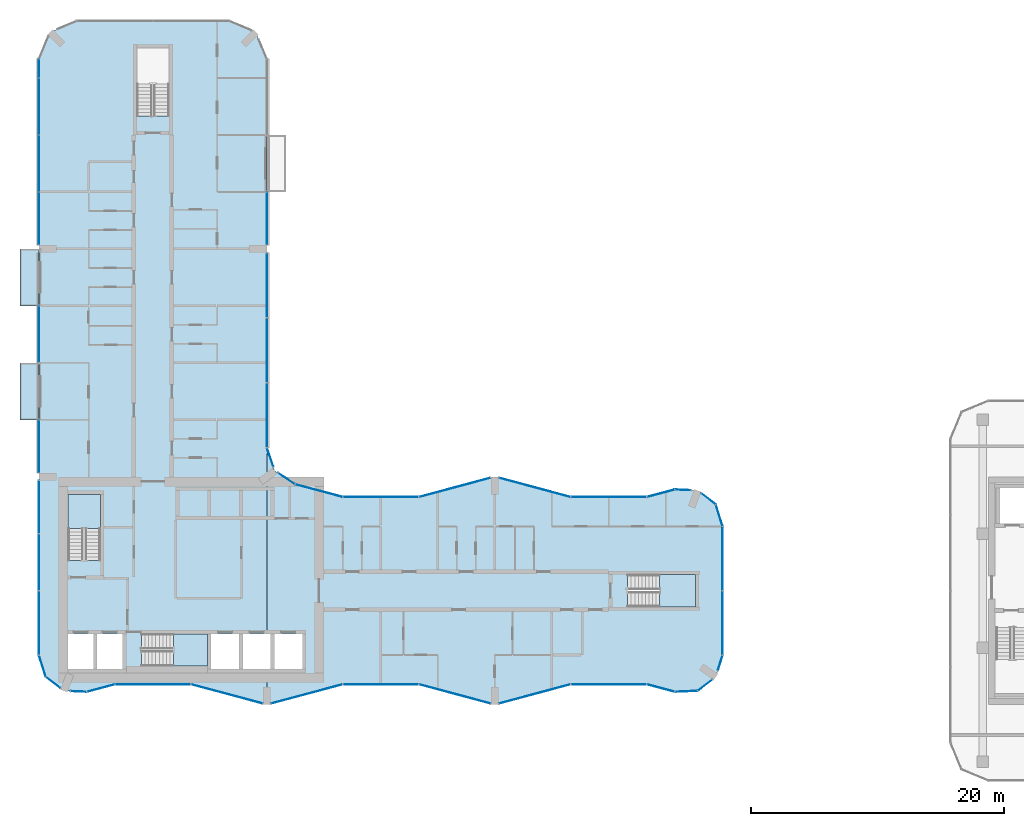
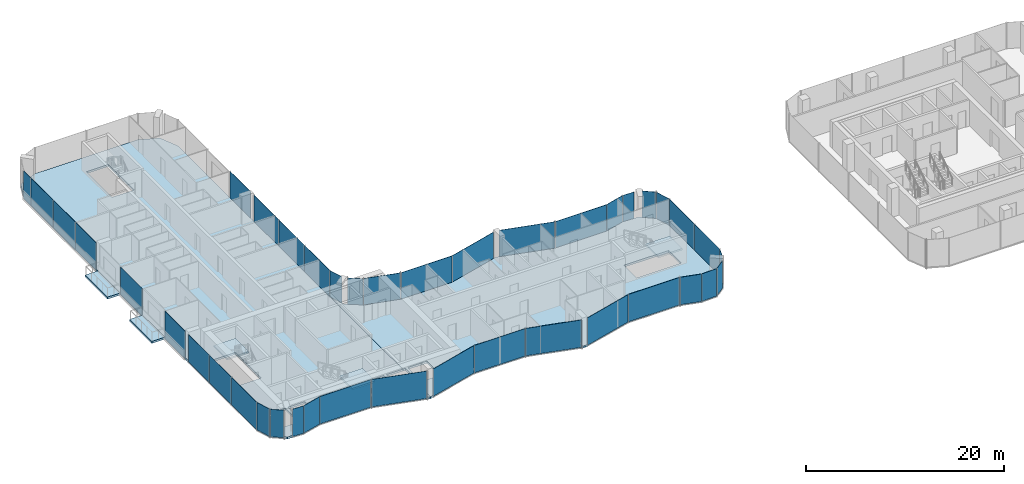
# One storey, part 12 of 24: 41 plates, 7 slabs, 36 elements without a shape of their own.
"""IFC4 building model written with IfcOpenShell, lengths in metres."""

from ifc_helpers import new_model, si_unit, direction, frame, origin, origin_2d, place, context, subcontext, project, spatial, polyline, rectangle, outline, extrude, material, layer, layer_set, type_object, element, aggregate, save


model = new_model("IFC4")

# Units and contexts
model_context = context("Model", 3, precision=1e-05, world=origin(), true_north=direction((0.0, 1.0)))
body_context = subcontext(model_context, "Body", "Model", "MODEL_VIEW")
ifc_project = project(units=[si_unit("LENGTHUNIT", "METRE"), si_unit("AREAUNIT", "SQUARE_METRE"), si_unit("VOLUMEUNIT", "CUBIC_METRE"), si_unit("PLANEANGLEUNIT", "RADIAN"), si_unit("MASSUNIT", "GRAM", prefix="KILO")], contexts=[model_context])

# Site, building, storey
site_placement = place(None, origin())
site = spatial("IfcSite", under=ifc_project, at=site_placement, CompositionType="ELEMENT")
building_placement = place(site_placement, origin())
building = spatial("IfcBuilding", under=site, at=building_placement, Name="Plateau Cross Towers", CompositionType="ELEMENT")
storey_placement = place(building_placement, frame((0.0, 0.0, 47.800048828125)))
storey = spatial("IfcBuildingStorey", under=building, at=storey_placement, Name="L11", CompositionType="ELEMENT", Elevation=47.800048828125)

# Slabs
ifc_material_1 = material(Name="Concrete C40/50", Category="concrete")
ifc_layer_1 = layer(ifc_material_1, 0.25)
ifc_layer_set_1 = layer_set([ifc_layer_1], Name="Concrete C40/50")
slab_type_1 = type_object("IfcSlabType", Name="Balcony slab 250", PredefinedType="FLOOR", material=ifc_layer_set_1)
slab_1_placement = place(storey_placement, frame((0.0, 0.0, -0.25)))
element("IfcSlab", 1, at=slab_1_placement, inside=storey, type_object=slab_type_1, Name="Balcony slab A-BAL-L11-01", PredefinedType="FLOOR", context=body_context, shape_type="SweptSolid", body=[
    extrude(outline(polyline([(0.0, 22.5), (0.0, 27.0), (-1.5, 27.0), (-1.5, 22.5), (0.0, 22.5)])), origin(), (0.0, 0.0, 1.0), 0.25),
])
slab_2_placement = place(storey_placement, frame((0.0, 0.0, -0.25)))
element("IfcSlab", 2, at=slab_2_placement, inside=storey, type_object=slab_type_1, Name="Balcony slab A-BAL-L11-02", PredefinedType="FLOOR", context=body_context, shape_type="SweptSolid", body=[
    extrude(outline(polyline([(0.0, 31.5), (0.0, 36.0), (-1.5, 36.0), (-1.5, 31.5), (0.0, 31.5)])), origin(), (0.0, 0.0, 1.0), 0.25),
])

# Curtain wall, plate
ifc_material_2 = material(Name="Dark low-iron glass", Category="glass")
ifc_layer_2 = layer(ifc_material_2, 0.239990234375)
ifc_layer_set_2 = layer_set([ifc_layer_2], Name="Dark low-iron glass")
curtain_wall_type_1 = type_object("IfcCurtainWallType", Name="Curtain wall flush unitised CW-B", PredefinedType="NOTDEFINED", material=ifc_layer_set_2)
curtain_wall_1_placement = place(storey_placement, origin())
curtain_wall_1 = element("IfcCurtainWall", 3, at=curtain_wall_1_placement, inside=storey, type_object=curtain_wall_type_1, Name="ENV/A/L11/A502_10", PredefinedType="NOTDEFINED")
ifc_layer_3 = layer(ifc_material_2, 0.031982421875)
ifc_layer_set_3 = layer_set([ifc_layer_3], Name="Dark low-iron glass")
plate_type_1 = type_object("IfcPlateType", Name="Glass panel 32 flush unitised", PredefinedType="CURTAIN_PANEL", material=ifc_layer_set_3)
plate_1_placement = place(storey_placement, frame((51.125, 1.05078125, -0.1298828125), z_axis=(0.0, 0.0, 1.0), x_axis=(0.999043701491, 0.043722791671, 0.0)))
plate_1 = element("IfcPlate", 4, at=plate_1_placement, type_object=plate_type_1, Name="CW-B panel 1", PredefinedType="CURTAIN_PANEL", context=body_context, shape_type="SweptSolid", body=[
    extrude(rectangle(XDim=1.744140625, YDim=0.031982421875, at=origin_2d()), origin(), (0.0, 0.0, 1.0), 3.3798828125),
])
aggregate(curtain_wall_1, [plate_1])

curtain_wall_2_placement = place(storey_placement, origin())
curtain_wall_2 = element("IfcCurtainWall", 5, at=curtain_wall_2_placement, inside=storey, type_object=curtain_wall_type_1, Name="ENV/A/L11/A520_11", PredefinedType="NOTDEFINED")
plate_2_placement = place(storey_placement, frame((52.60986328125, 1.5380859375, -0.1298828125), z_axis=(0.0, 0.0, 1.0), x_axis=(0.793315514529, 0.608810721331, 0.0)))
plate_2 = element("IfcPlate", 6, at=plate_2_placement, type_object=plate_type_1, Name="CW-B panel 1", PredefinedType="CURTAIN_PANEL", context=body_context, shape_type="SweptSolid", body=[
    extrude(rectangle(XDim=1.41162109375, YDim=0.031982421875, at=origin_2d()), origin(), (0.0, 0.0, 1.0), 3.3798828125),
])
aggregate(curtain_wall_2, [plate_2])

curtain_wall_3_placement = place(storey_placement, origin())
curtain_wall_3 = element("IfcCurtainWall", 7, at=curtain_wall_3_placement, inside=storey, type_object=curtain_wall_type_1, Name="ENV/A/L11/A536_27", PredefinedType="NOTDEFINED")
plate_3_placement = place(storey_placement, frame((53.805419921875, 3.292236328125, -0.1298828125), z_axis=(0.0, 0.0, 1.0), x_axis=(0.300686174994, 0.95372313811, 0.0)))
plate_3 = element("IfcPlate", 8, at=plate_3_placement, type_object=plate_type_1, Name="CW-B panel 1", PredefinedType="CURTAIN_PANEL", context=body_context, shape_type="SweptSolid", body=[
    extrude(rectangle(XDim=1.233642578125, YDim=0.031982421875, at=origin_2d()), origin(), (0.0, 0.0, 1.0), 3.3798828125),
])
aggregate(curtain_wall_3, [plate_3])

# Curtain wall, plates
curtain_wall_4_placement = place(storey_placement, origin())
curtain_wall_4 = element("IfcCurtainWall", 9, at=curtain_wall_4_placement, inside=storey, type_object=curtain_wall_type_1, Name="ENV/A/L11/A540_39", PredefinedType="NOTDEFINED")
plate_4_placement = place(storey_placement, frame((54.0, 6.45458984375, -0.1298828125), z_axis=(0.0, 0.0, 1.0), x_axis=(0.0, 1.0, 0.0)))
plate_4 = element("IfcPlate", 10, at=plate_4_placement, type_object=plate_type_1, Name="CW-B panel 1", PredefinedType="CURTAIN_PANEL", context=body_context, shape_type="SweptSolid", body=[
    extrude(rectangle(XDim=5.03076171875, YDim=0.031982421875, at=origin_2d()), origin(), (0.0, 0.0, 1.0), 3.3798828125),
])
plate_5_placement = place(storey_placement, frame((54.0, 11.54541015625, -0.1298828125), z_axis=(0.0, 0.0, 1.0), x_axis=(0.0, 1.0, 0.0)))
plate_5 = element("IfcPlate", 11, at=plate_5_placement, type_object=plate_type_1, Name="CW-B panel 2", PredefinedType="CURTAIN_PANEL", context=body_context, shape_type="SweptSolid", body=[
    extrude(rectangle(XDim=5.03076171875, YDim=0.031982421875, at=origin_2d()), origin(), (0.0, 0.0, 1.0), 3.3798828125),
])
aggregate(curtain_wall_4, [plate_4, plate_5])

# Curtain wall, plate
curtain_wall_5_placement = place(storey_placement, origin())
curtain_wall_5 = element("IfcCurtainWall", 12, at=curtain_wall_5_placement, inside=storey, type_object=curtain_wall_type_1, Name="ENV/A/L11/A540_141", PredefinedType="NOTDEFINED")
plate_6_placement = place(storey_placement, frame((53.728759765625, 14.951171875, -0.1298828125), z_axis=(0.0, 0.0, 1.0), x_axis=(-0.300686174994, 0.95372313811, 0.0)))
plate_6 = element("IfcPlate", 13, at=plate_6_placement, type_object=plate_type_1, Name="CW-B panel 1", PredefinedType="CURTAIN_PANEL", context=body_context, shape_type="SweptSolid", body=[
    extrude(rectangle(XDim=1.744140625, YDim=0.031982421875, at=origin_2d()), origin(), (0.0, 0.0, 1.0), 3.3798828125),
])
aggregate(curtain_wall_5, [plate_6])

curtain_wall_6_placement = place(storey_placement, origin())
curtain_wall_6 = element("IfcCurtainWall", 14, at=curtain_wall_6_placement, inside=storey, type_object=curtain_wall_type_1, Name="ENV/A/L11/A535_158", PredefinedType="NOTDEFINED")
plate_7_placement = place(storey_placement, frame((52.873779296875, 16.25927734375, -0.1298828125), z_axis=(0.0, 0.0, 1.0), x_axis=(-0.793315514529, 0.608810721331, 0.0)))
plate_7 = element("IfcPlate", 15, at=plate_7_placement, type_object=plate_type_1, Name="CW-B panel 1", PredefinedType="CURTAIN_PANEL", context=body_context, shape_type="SweptSolid", body=[
    extrude(rectangle(XDim=1.41162109375, YDim=0.031982421875, at=origin_2d()), origin(), (0.0, 0.0, 1.0), 3.3798828125),
])
aggregate(curtain_wall_6, [plate_7])

curtain_wall_7_placement = place(storey_placement, origin())
curtain_wall_7 = element("IfcCurtainWall", 16, at=curtain_wall_7_placement, inside=storey, type_object=curtain_wall_type_1, Name="ENV/A/L11/A515_169", PredefinedType="NOTDEFINED")
plate_8_placement = place(storey_placement, frame((50.8701171875, 16.96044921875, -0.1298828125), z_axis=(0.0, 0.0, 1.0), x_axis=(-0.999043701491, 0.043722791671, 0.0)))
plate_8 = element("IfcPlate", 17, at=plate_8_placement, type_object=plate_type_1, Name="CW-B panel 1", PredefinedType="CURTAIN_PANEL", context=body_context, shape_type="SweptSolid", body=[
    extrude(rectangle(XDim=1.233642578125, YDim=0.031982421875, at=origin_2d()), origin(), (0.0, 0.0, 1.0), 3.3798828125),
])
aggregate(curtain_wall_7, [plate_8])

curtain_wall_8_placement = place(storey_placement, origin())
curtain_wall_8 = element("IfcCurtainWall", 18, at=curtain_wall_8_placement, inside=storey, type_object=curtain_wall_type_1, Name="ENV/A/L11/A202_174", PredefinedType="NOTDEFINED")
plate_9_placement = place(storey_placement, frame((19.546630859375, 17.856689453125, -0.1298828125), z_axis=(0.0, 0.0, 1.0), x_axis=(-0.831521253329, 0.555492938984, 0.0)))
plate_9 = element("IfcPlate", 19, at=plate_9_placement, type_object=plate_type_1, Name="CW-B panel 1", PredefinedType="CURTAIN_PANEL", context=body_context, shape_type="SweptSolid", body=[
    extrude(rectangle(XDim=1.56884765625, YDim=0.031982421875, at=origin_2d()), origin(), (0.0, 0.0, 1.0), 3.3798828125),
])
aggregate(curtain_wall_8, [plate_9])

curtain_wall_9_placement = place(storey_placement, origin())
curtain_wall_9 = element("IfcCurtainWall", 20, at=curtain_wall_9_placement, inside=storey, type_object=curtain_wall_type_1, Name="ENV/A/L11/A185_188", PredefinedType="NOTDEFINED")
plate_10_placement = place(storey_placement, frame((18.26171875, 19.531005859375, -0.1298828125), z_axis=(0.0, 0.0, 1.0), x_axis=(-0.321469161574, 0.94692004845, 0.0)))
plate_10 = element("IfcPlate", 21, at=plate_10_placement, type_object=plate_type_1, Name="CW-B panel 1", PredefinedType="CURTAIN_PANEL", context=body_context, shape_type="SweptSolid", body=[
    extrude(rectangle(XDim=1.56884765625, YDim=0.031982421875, at=origin_2d()), origin(), (0.0, 0.0, 1.0), 3.3798828125),
])
aggregate(curtain_wall_9, [plate_10])

# Curtain wall, plates
curtain_wall_10_placement = place(storey_placement, origin())
curtain_wall_10 = element("IfcCurtainWall", 22, at=curtain_wall_10_placement, inside=storey, type_object=curtain_wall_type_1, Name="ENV/A/L11/A180_203", PredefinedType="NOTDEFINED")
plate_11_placement = place(storey_placement, frame((18.0, 22.86865234375, -0.1298828125), z_axis=(0.0, 0.0, 1.0), x_axis=(0.0, 1.0, 0.0)))
plate_11 = element("IfcPlate", 23, at=plate_11_placement, type_object=plate_type_1, Name="CW-B panel 1", PredefinedType="CURTAIN_PANEL", context=body_context, shape_type="SweptSolid", body=[
    extrude(rectangle(XDim=5.072509765625, YDim=0.031982421875, at=origin_2d()), origin(), (0.0, 0.0, 1.0), 3.3798828125),
])
plate_12_placement = place(storey_placement, frame((18.0, 28.001220703125, -0.1298828125), z_axis=(0.0, 0.0, 1.0), x_axis=(0.0, 1.0, 0.0)))
plate_12 = element("IfcPlate", 24, at=plate_12_placement, type_object=plate_type_1, Name="CW-B panel 2", PredefinedType="CURTAIN_PANEL", context=body_context, shape_type="SweptSolid", body=[
    extrude(rectangle(XDim=5.072509765625, YDim=0.031982421875, at=origin_2d()), origin(), (0.0, 0.0, 1.0), 3.3798828125),
])
plate_13_placement = place(storey_placement, frame((18.0, 33.1337890625, -0.1298828125), z_axis=(0.0, 0.0, 1.0), x_axis=(0.0, 1.0, 0.0)))
plate_13 = element("IfcPlate", 25, at=plate_13_placement, type_object=plate_type_1, Name="CW-B panel 3", PredefinedType="CURTAIN_PANEL", context=body_context, shape_type="SweptSolid", body=[
    extrude(rectangle(XDim=5.072509765625, YDim=0.031982421875, at=origin_2d()), origin(), (0.0, 0.0, 1.0), 3.3798828125),
])
aggregate(curtain_wall_10, [plate_11, plate_12, plate_13])

# Curtain wall, plate
curtain_wall_11_placement = place(storey_placement, origin())
curtain_wall_11 = element("IfcCurtainWall", 26, at=curtain_wall_11_placement, inside=storey, type_object=curtain_wall_type_1, Name="ENV/A/L11/A180_363", PredefinedType="NOTDEFINED")
plate_14_placement = place(storey_placement, frame((18.0, 38.39501953125, -0.1298828125), z_axis=(0.0, 0.0, 1.0), x_axis=(0.0, 1.0, 0.0)))
plate_14 = element("IfcPlate", 27, at=plate_14_placement, type_object=plate_type_1, Name="CW-B panel 1", PredefinedType="CURTAIN_PANEL", context=body_context, shape_type="SweptSolid", body=[
    extrude(rectangle(XDim=4.1298828125, YDim=0.031982421875, at=origin_2d()), origin(), (0.0, 0.0, 1.0), 3.3798828125),
])
aggregate(curtain_wall_11, [plate_14])

# Curtain wall, plates
curtain_wall_12_placement = place(storey_placement, origin())
curtain_wall_12 = element("IfcCurtainWall", 28, at=curtain_wall_12_placement, inside=storey, type_object=curtain_wall_type_1, Name="ENV/A/L11/A0_510", PredefinedType="NOTDEFINED")
plate_15_placement = place(storey_placement, frame((0.0, 50.25, -0.1298828125), z_axis=(0.0, 0.0, 1.0), x_axis=(0.0, -1.0, 0.0)))
plate_15 = element("IfcPlate", 29, at=plate_15_placement, type_object=plate_type_1, Name="CW-B panel 1", PredefinedType="CURTAIN_PANEL", context=body_context, shape_type="SweptSolid", body=[
    extrude(rectangle(XDim=1.43994140625, YDim=0.031982421875, at=origin_2d()), origin(), (0.0, 0.0, 1.0), 3.3798828125),
])
plate_16_placement = place(storey_placement, frame((0.0, 47.25, -0.1298828125), z_axis=(0.0, 0.0, 1.0), x_axis=(0.0, -1.0, 0.0)))
plate_16 = element("IfcPlate", 30, at=plate_16_placement, type_object=plate_type_1, Name="CW-B panel 2", PredefinedType="CURTAIN_PANEL", context=body_context, shape_type="SweptSolid", body=[
    extrude(rectangle(XDim=4.43994140625, YDim=0.031982421875, at=origin_2d()), origin(), (0.0, 0.0, 1.0), 3.3798828125),
])
plate_17_placement = place(storey_placement, frame((0.0, 42.75, -0.1298828125), z_axis=(0.0, 0.0, 1.0), x_axis=(0.0, -1.0, 0.0)))
plate_17 = element("IfcPlate", 31, at=plate_17_placement, type_object=plate_type_1, Name="CW-B panel 3", PredefinedType="CURTAIN_PANEL", context=body_context, shape_type="SweptSolid", body=[
    extrude(rectangle(XDim=4.43994140625, YDim=0.031982421875, at=origin_2d()), origin(), (0.0, 0.0, 1.0), 3.3798828125),
])
plate_18_placement = place(storey_placement, frame((0.0, 38.39990234375, -0.1298828125), z_axis=(0.0, 0.0, 1.0), x_axis=(0.0, -1.0, 0.0)))
plate_18 = element("IfcPlate", 32, at=plate_18_placement, type_object=plate_type_1, Name="CW-B panel 4", PredefinedType="CURTAIN_PANEL", context=body_context, shape_type="SweptSolid", body=[
    extrude(rectangle(XDim=4.139892578125, YDim=0.031982421875, at=origin_2d()), origin(), (0.0, 0.0, 1.0), 3.3798828125),
])
aggregate(curtain_wall_12, [plate_15, plate_16, plate_17, plate_18])

# Curtain wall, plate
curtain_wall_13_placement = place(storey_placement, origin())
curtain_wall_13 = element("IfcCurtainWall", 33, at=curtain_wall_13_placement, inside=storey, type_object=curtain_wall_type_1, Name="ENV/A/L11/A0_315", PredefinedType="NOTDEFINED")
plate_19_placement = place(storey_placement, frame((0.0, 29.25, -0.1298828125), z_axis=(0.0, 0.0, 1.0), x_axis=(0.0, -1.0, 0.0)))
plate_19 = element("IfcPlate", 34, at=plate_19_placement, type_object=plate_type_1, Name="CW-B panel 1", PredefinedType="CURTAIN_PANEL", context=body_context, shape_type="SweptSolid", body=[
    extrude(rectangle(XDim=4.419921875, YDim=0.031982421875, at=origin_2d()), origin(), (0.0, 0.0, 1.0), 3.3798828125),
])
aggregate(curtain_wall_13, [plate_19])

curtain_wall_14_placement = place(storey_placement, origin())
curtain_wall_14 = element("IfcCurtainWall", 35, at=curtain_wall_14_placement, inside=storey, type_object=curtain_wall_type_1, Name="ENV/A/L11/A0_225", PredefinedType="NOTDEFINED")
plate_20_placement = place(storey_placement, frame((0.0, 20.39501953125, -0.1298828125), z_axis=(0.0, 0.0, 1.0), x_axis=(0.0, -1.0, 0.0)))
plate_20 = element("IfcPlate", 36, at=plate_20_placement, type_object=plate_type_1, Name="CW-B panel 1", PredefinedType="CURTAIN_PANEL", context=body_context, shape_type="SweptSolid", body=[
    extrude(rectangle(XDim=4.1298828125, YDim=0.031982421875, at=origin_2d()), origin(), (0.0, 0.0, 1.0), 3.3798828125),
])
aggregate(curtain_wall_14, [plate_20])

# Curtain wall, plates
curtain_wall_15_placement = place(storey_placement, origin())
curtain_wall_15 = element("IfcCurtainWall", 37, at=curtain_wall_15_placement, inside=storey, type_object=curtain_wall_type_1, Name="ENV/A/L11/A0_177", PredefinedType="NOTDEFINED")
plate_21_placement = place(storey_placement, frame((0.0, 15.60009765625, -0.1298828125), z_axis=(0.0, 0.0, 1.0), x_axis=(0.0, -1.0, 0.0)))
plate_21 = element("IfcPlate", 38, at=plate_21_placement, type_object=plate_type_1, Name="CW-B panel 1", PredefinedType="CURTAIN_PANEL", context=body_context, shape_type="SweptSolid", body=[
    extrude(rectangle(XDim=4.139892578125, YDim=0.031982421875, at=origin_2d()), origin(), (0.0, 0.0, 1.0), 3.3798828125),
])
plate_22_placement = place(storey_placement, frame((0.0, 11.25, -0.1298828125), z_axis=(0.0, 0.0, 1.0), x_axis=(0.0, -1.0, 0.0)))
plate_22 = element("IfcPlate", 39, at=plate_22_placement, type_object=plate_type_1, Name="CW-B panel 2", PredefinedType="CURTAIN_PANEL", context=body_context, shape_type="SweptSolid", body=[
    extrude(rectangle(XDim=4.43994140625, YDim=0.031982421875, at=origin_2d()), origin(), (0.0, 0.0, 1.0), 3.3798828125),
])
plate_23_placement = place(storey_placement, frame((0.0, 6.45458984375, -0.1298828125), z_axis=(0.0, 0.0, 1.0), x_axis=(0.0, -1.0, 0.0)))
plate_23 = element("IfcPlate", 40, at=plate_23_placement, type_object=plate_type_1, Name="CW-B panel 3", PredefinedType="CURTAIN_PANEL", context=body_context, shape_type="SweptSolid", body=[
    extrude(rectangle(XDim=5.03076171875, YDim=0.031982421875, at=origin_2d()), origin(), (0.0, 0.0, 1.0), 3.3798828125),
])
aggregate(curtain_wall_15, [plate_21, plate_22, plate_23])

# Curtain wall, plate
curtain_wall_16_placement = place(storey_placement, origin())
curtain_wall_16 = element("IfcCurtainWall", 41, at=curtain_wall_16_placement, inside=storey, type_object=curtain_wall_type_1, Name="ENV/A/L11/A0_39", PredefinedType="NOTDEFINED")
plate_24_placement = place(storey_placement, frame((0.271240234375, 3.048828125, -0.1298828125), z_axis=(0.0, 0.0, 1.0), x_axis=(0.300686174994, -0.95372313811, 0.0)))
plate_24 = element("IfcPlate", 42, at=plate_24_placement, type_object=plate_type_1, Name="CW-B panel 1", PredefinedType="CURTAIN_PANEL", context=body_context, shape_type="SweptSolid", body=[
    extrude(rectangle(XDim=1.744140625, YDim=0.031982421875, at=origin_2d()), origin(), (0.0, 0.0, 1.0), 3.3798828125),
])
aggregate(curtain_wall_16, [plate_24])

curtain_wall_17_placement = place(storey_placement, origin())
curtain_wall_17 = element("IfcCurtainWall", 43, at=curtain_wall_17_placement, inside=storey, type_object=curtain_wall_type_1, Name="ENV/A/L11/A5_22", PredefinedType="NOTDEFINED")
plate_25_placement = place(storey_placement, frame((1.126220703125, 1.74072265625, -0.1298828125), z_axis=(0.0, 0.0, 1.0), x_axis=(0.793315514529, -0.608810721331, 0.0)))
plate_25 = element("IfcPlate", 44, at=plate_25_placement, type_object=plate_type_1, Name="CW-B panel 1", PredefinedType="CURTAIN_PANEL", context=body_context, shape_type="SweptSolid", body=[
    extrude(rectangle(XDim=1.41162109375, YDim=0.031982421875, at=origin_2d()), origin(), (0.0, 0.0, 1.0), 3.3798828125),
])
aggregate(curtain_wall_17, [plate_25])

curtain_wall_18_placement = place(storey_placement, origin())
curtain_wall_18 = element("IfcCurtainWall", 45, at=curtain_wall_18_placement, inside=storey, type_object=curtain_wall_type_1, Name="ENV/A/L11/A25_11", PredefinedType="NOTDEFINED")
plate_26_placement = place(storey_placement, frame((3.1298828125, 1.03955078125, -0.1298828125), z_axis=(0.0, 0.0, 1.0), x_axis=(0.999043701491, -0.043722791671, 0.0)))
plate_26 = element("IfcPlate", 46, at=plate_26_placement, type_object=plate_type_1, Name="CW-B panel 1", PredefinedType="CURTAIN_PANEL", context=body_context, shape_type="SweptSolid", body=[
    extrude(rectangle(XDim=1.233642578125, YDim=0.031982421875, at=origin_2d()), origin(), (0.0, 0.0, 1.0), 3.3798828125),
])
aggregate(curtain_wall_18, [plate_26])

ifc_layer_4 = layer(ifc_material_2, 0.260009765625)
ifc_layer_set_4 = layer_set([ifc_layer_4], Name="Dark low-iron glass")
curtain_wall_type_2 = type_object("IfcCurtainWallType", Name="Curtain wall fluted unitised CW-A", PredefinedType="NOTDEFINED", material=ifc_layer_set_4)
curtain_wall_19_placement = place(storey_placement, origin())
curtain_wall_19 = element("IfcCurtainWall", 47, at=curtain_wall_19_placement, inside=storey, type_object=curtain_wall_type_2, Name="ENV/A/L11/A38_10", PredefinedType="NOTDEFINED")
ifc_layer_5 = layer(ifc_material_2, 0.035888671875)
ifc_layer_set_5 = layer_set([ifc_layer_5], Name="Dark low-iron glass")
plate_type_2 = type_object("IfcPlateType", Name="Glass panel 36 fluted unitised", PredefinedType="CURTAIN_PANEL", material=ifc_layer_set_5)
plate_27_placement = place(storey_placement, frame((4.887939453125, 1.30908203125, -0.1298828125), z_axis=(0.0, 0.0, 1.0), x_axis=(0.965957962328, 0.258699081978, 0.0)))
plate_27 = element("IfcPlate", 48, at=plate_27_placement, type_object=plate_type_2, Name="CW-A panel 1", PredefinedType="CURTAIN_PANEL", context=body_context, shape_type="SweptSolid", body=[
    extrude(rectangle(XDim=2.2421875, YDim=0.035888671875, at=origin_2d()), origin(), (0.0, 0.0, 1.0), 3.3798828125),
])
aggregate(curtain_wall_19, [plate_27])

curtain_wall_20_placement = place(storey_placement, origin())
curtain_wall_20 = element("IfcCurtainWall", 49, at=curtain_wall_20_placement, inside=storey, type_object=curtain_wall_type_2, Name="ENV/A/L11/A60_16", PredefinedType="NOTDEFINED")
plate_28_placement = place(storey_placement, frame((9.0, 1.60693359375, -0.1298828125), z_axis=(0.0, 0.0, 1.0), x_axis=(1.0, 0.0, 0.0)))
plate_28 = element("IfcPlate", 50, at=plate_28_placement, type_object=plate_type_2, Name="CW-A panel 1", PredefinedType="CURTAIN_PANEL", context=body_context, shape_type="SweptSolid", body=[
    extrude(rectangle(XDim=5.93994140625, YDim=0.035888671875, at=origin_2d()), origin(), (0.0, 0.0, 1.0), 3.3798828125),
])
aggregate(curtain_wall_20, [plate_28])

curtain_wall_21_placement = place(storey_placement, origin())
curtain_wall_21 = element("IfcCurtainWall", 51, at=curtain_wall_21_placement, inside=storey, type_object=curtain_wall_type_2, Name="ENV/A/L11/A120_16", PredefinedType="NOTDEFINED")
plate_29_placement = place(storey_placement, frame((14.841064453125, 0.845947265625, -0.1298828125), z_axis=(0.0, 0.0, 1.0), x_axis=(0.965957983404, -0.258699003279, 0.0)))
plate_29 = element("IfcPlate", 52, at=plate_29_placement, type_object=plate_type_2, Name="CW-A panel 1", PredefinedType="CURTAIN_PANEL", context=body_context, shape_type="SweptSolid", body=[
    extrude(rectangle(XDim=5.822265625, YDim=0.035888671875, at=origin_2d()), origin(), (0.0, 0.0, 1.0), 3.3798828125),
])
aggregate(curtain_wall_21, [plate_29])

curtain_wall_22_placement = place(storey_placement, origin())
curtain_wall_22 = element("IfcCurtainWall", 53, at=curtain_wall_22_placement, inside=storey, type_object=curtain_wall_type_2, Name="ENV/A/L11/A183_1", PredefinedType="NOTDEFINED")
plate_30_placement = place(storey_placement, frame((21.158935546875, 0.845947265625, -0.1298828125), z_axis=(0.0, 0.0, 1.0), x_axis=(0.965957983404, 0.258699003279, 0.0)))
plate_30 = element("IfcPlate", 54, at=plate_30_placement, type_object=plate_type_2, Name="CW-A panel 1", PredefinedType="CURTAIN_PANEL", context=body_context, shape_type="SweptSolid", body=[
    extrude(rectangle(XDim=5.822265625, YDim=0.035888671875, at=origin_2d()), origin(), (0.0, 0.0, 1.0), 3.3798828125),
])
aggregate(curtain_wall_22, [plate_30])

curtain_wall_23_placement = place(storey_placement, origin())
curtain_wall_23 = element("IfcCurtainWall", 55, at=curtain_wall_23_placement, inside=storey, type_object=curtain_wall_type_2, Name="ENV/A/L11/A240_16", PredefinedType="NOTDEFINED")
plate_31_placement = place(storey_placement, frame((27.0, 1.60693359375, -0.1298828125), z_axis=(0.0, 0.0, 1.0), x_axis=(1.0, 0.0, 0.0)))
plate_31 = element("IfcPlate", 56, at=plate_31_placement, type_object=plate_type_2, Name="CW-A panel 1", PredefinedType="CURTAIN_PANEL", context=body_context, shape_type="SweptSolid", body=[
    extrude(rectangle(XDim=5.93994140625, YDim=0.035888671875, at=origin_2d()), origin(), (0.0, 0.0, 1.0), 3.3798828125),
])
aggregate(curtain_wall_23, [plate_31])

curtain_wall_24_placement = place(storey_placement, origin())
curtain_wall_24 = element("IfcCurtainWall", 57, at=curtain_wall_24_placement, inside=storey, type_object=curtain_wall_type_2, Name="ENV/A/L11/A300_16", PredefinedType="NOTDEFINED")
plate_32_placement = place(storey_placement, frame((32.841064453125, 0.845947265625, -0.1298828125), z_axis=(0.0, 0.0, 1.0), x_axis=(0.965957983404, -0.258699003279, 0.0)))
plate_32 = element("IfcPlate", 58, at=plate_32_placement, type_object=plate_type_2, Name="CW-A panel 1", PredefinedType="CURTAIN_PANEL", context=body_context, shape_type="SweptSolid", body=[
    extrude(rectangle(XDim=5.822265625, YDim=0.035888671875, at=origin_2d()), origin(), (0.0, 0.0, 1.0), 3.3798828125),
])
aggregate(curtain_wall_24, [plate_32])

curtain_wall_25_placement = place(storey_placement, origin())
curtain_wall_25 = element("IfcCurtainWall", 59, at=curtain_wall_25_placement, inside=storey, type_object=curtain_wall_type_2, Name="ENV/A/L11/A363_1", PredefinedType="NOTDEFINED")
plate_33_placement = place(storey_placement, frame((39.158935546875, 0.845947265625, -0.1298828125), z_axis=(0.0, 0.0, 1.0), x_axis=(0.965957983404, 0.258699003279, 0.0)))
plate_33 = element("IfcPlate", 60, at=plate_33_placement, type_object=plate_type_2, Name="CW-A panel 1", PredefinedType="CURTAIN_PANEL", context=body_context, shape_type="SweptSolid", body=[
    extrude(rectangle(XDim=5.822265625, YDim=0.035888671875, at=origin_2d()), origin(), (0.0, 0.0, 1.0), 3.3798828125),
])
aggregate(curtain_wall_25, [plate_33])

curtain_wall_26_placement = place(storey_placement, origin())
curtain_wall_26 = element("IfcCurtainWall", 61, at=curtain_wall_26_placement, inside=storey, type_object=curtain_wall_type_2, Name="ENV/A/L11/A420_16", PredefinedType="NOTDEFINED")
plate_34_placement = place(storey_placement, frame((45.0, 1.60693359375, -0.1298828125), z_axis=(0.0, 0.0, 1.0), x_axis=(1.0, 0.0, 0.0)))
plate_34 = element("IfcPlate", 62, at=plate_34_placement, type_object=plate_type_2, Name="CW-A panel 1", PredefinedType="CURTAIN_PANEL", context=body_context, shape_type="SweptSolid", body=[
    extrude(rectangle(XDim=5.93994140625, YDim=0.035888671875, at=origin_2d()), origin(), (0.0, 0.0, 1.0), 3.3798828125),
])
aggregate(curtain_wall_26, [plate_34])

curtain_wall_27_placement = place(storey_placement, origin())
curtain_wall_27 = element("IfcCurtainWall", 63, at=curtain_wall_27_placement, inside=storey, type_object=curtain_wall_type_2, Name="ENV/A/L11/A480_16", PredefinedType="NOTDEFINED")
plate_35_placement = place(storey_placement, frame((49.112060546875, 1.30908203125, -0.1298828125), z_axis=(0.0, 0.0, 1.0), x_axis=(0.965957962328, -0.258699081978, 0.0)))
plate_35 = element("IfcPlate", 64, at=plate_35_placement, type_object=plate_type_2, Name="CW-A panel 1", PredefinedType="CURTAIN_PANEL", context=body_context, shape_type="SweptSolid", body=[
    extrude(rectangle(XDim=2.2421875, YDim=0.035888671875, at=origin_2d()), origin(), (0.0, 0.0, 1.0), 3.3798828125),
])
aggregate(curtain_wall_27, [plate_35])

curtain_wall_28_placement = place(storey_placement, origin())
curtain_wall_28 = element("IfcCurtainWall", 65, at=curtain_wall_28_placement, inside=storey, type_object=curtain_wall_type_2, Name="ENV/A/L11/A502_170", PredefinedType="NOTDEFINED")
plate_36_placement = place(storey_placement, frame((49.112060546875, 16.69091796875, -0.1298828125), z_axis=(0.0, 0.0, 1.0), x_axis=(-0.965957962328, -0.258699081978, 0.0)))
plate_36 = element("IfcPlate", 66, at=plate_36_placement, type_object=plate_type_2, Name="CW-A panel 1", PredefinedType="CURTAIN_PANEL", context=body_context, shape_type="SweptSolid", body=[
    extrude(rectangle(XDim=2.2421875, YDim=0.035888671875, at=origin_2d()), origin(), (0.0, 0.0, 1.0), 3.3798828125),
])
aggregate(curtain_wall_28, [plate_36])

curtain_wall_29_placement = place(storey_placement, origin())
curtain_wall_29 = element("IfcCurtainWall", 67, at=curtain_wall_29_placement, inside=storey, type_object=curtain_wall_type_2, Name="ENV/A/L11/A480_164", PredefinedType="NOTDEFINED")
plate_37_placement = place(storey_placement, frame((45.0, 16.39306640625, -0.1298828125), z_axis=(0.0, 0.0, 1.0), x_axis=(-1.0, 0.0, 0.0)))
plate_37 = element("IfcPlate", 68, at=plate_37_placement, type_object=plate_type_2, Name="CW-A panel 1", PredefinedType="CURTAIN_PANEL", context=body_context, shape_type="SweptSolid", body=[
    extrude(rectangle(XDim=5.93994140625, YDim=0.035888671875, at=origin_2d()), origin(), (0.0, 0.0, 1.0), 3.3798828125),
])
aggregate(curtain_wall_29, [plate_37])

curtain_wall_30_placement = place(storey_placement, origin())
curtain_wall_30 = element("IfcCurtainWall", 69, at=curtain_wall_30_placement, inside=storey, type_object=curtain_wall_type_2, Name="ENV/A/L11/A420_164", PredefinedType="NOTDEFINED")
plate_38_placement = place(storey_placement, frame((39.158935546875, 17.154052734375, -0.1298828125), z_axis=(0.0, 0.0, 1.0), x_axis=(-0.965957983404, 0.258699003279, 0.0)))
plate_38 = element("IfcPlate", 70, at=plate_38_placement, type_object=plate_type_2, Name="CW-A panel 1", PredefinedType="CURTAIN_PANEL", context=body_context, shape_type="SweptSolid", body=[
    extrude(rectangle(XDim=5.822265625, YDim=0.035888671875, at=origin_2d()), origin(), (0.0, 0.0, 1.0), 3.3798828125),
])
aggregate(curtain_wall_30, [plate_38])

curtain_wall_31_placement = place(storey_placement, origin())
curtain_wall_31 = element("IfcCurtainWall", 71, at=curtain_wall_31_placement, inside=storey, type_object=curtain_wall_type_2, Name="ENV/A/L11/A357_179", PredefinedType="NOTDEFINED")
plate_39_placement = place(storey_placement, frame((32.841064453125, 17.154052734375, -0.1298828125), z_axis=(0.0, 0.0, 1.0), x_axis=(-0.965957983404, -0.258699003279, 0.0)))
plate_39 = element("IfcPlate", 72, at=plate_39_placement, type_object=plate_type_2, Name="CW-A panel 1", PredefinedType="CURTAIN_PANEL", context=body_context, shape_type="SweptSolid", body=[
    extrude(rectangle(XDim=5.822265625, YDim=0.035888671875, at=origin_2d()), origin(), (0.0, 0.0, 1.0), 3.3798828125),
])
aggregate(curtain_wall_31, [plate_39])

curtain_wall_32_placement = place(storey_placement, origin())
curtain_wall_32 = element("IfcCurtainWall", 73, at=curtain_wall_32_placement, inside=storey, type_object=curtain_wall_type_2, Name="ENV/A/L11/A300_164", PredefinedType="NOTDEFINED")
plate_40_placement = place(storey_placement, frame((27.0, 16.39306640625, -0.1298828125), z_axis=(0.0, 0.0, 1.0), x_axis=(-1.0, 0.0, 0.0)))
plate_40 = element("IfcPlate", 74, at=plate_40_placement, type_object=plate_type_2, Name="CW-A panel 1", PredefinedType="CURTAIN_PANEL", context=body_context, shape_type="SweptSolid", body=[
    extrude(rectangle(XDim=5.93994140625, YDim=0.035888671875, at=origin_2d()), origin(), (0.0, 0.0, 1.0), 3.3798828125),
])
aggregate(curtain_wall_32, [plate_40])

curtain_wall_33_placement = place(storey_placement, origin())
curtain_wall_33 = element("IfcCurtainWall", 75, at=curtain_wall_33_placement, inside=storey, type_object=curtain_wall_type_2, Name="ENV/A/L11/A240_164", PredefinedType="NOTDEFINED")
plate_41_placement = place(storey_placement, frame((22.112060546875, 16.898681640625, -0.1298828125), z_axis=(0.0, 0.0, 1.0), x_axis=(-0.965957995816, 0.258698956933, 0.0)))
plate_41 = element("IfcPlate", 76, at=plate_41_placement, type_object=plate_type_2, Name="CW-A panel 1", PredefinedType="CURTAIN_PANEL", context=body_context, shape_type="SweptSolid", body=[
    extrude(rectangle(XDim=3.84912109375, YDim=0.035888671875, at=origin_2d()), origin(), (0.0, 0.0, 1.0), 3.3798828125),
])
aggregate(curtain_wall_33, [plate_41])

# Slabs
ifc_layer_6 = layer(ifc_material_1, 0.25)
ifc_layer_set_6 = layer_set([ifc_layer_6], Name="Concrete C40/50")
slab_type_2 = type_object("IfcSlabType", Name="Post-tensioned flat plate slab 250", PredefinedType="FLOOR", material=ifc_layer_set_6)
slab_3_placement = place(storey_placement, frame((0.0, 0.0, -0.25)))
element("IfcSlab", 77, at=slab_3_placement, inside=storey, type_object=slab_type_2, Name="SL-A-L11 1", PredefinedType="FLOOR", context=body_context, shape_type="SweptSolid", body=[
    extrude(outline(polyline([(0.54248046875, 2.1884765625), (0.0, 3.9091796875), (0.0, 51.0), (0.878662109375, 53.121337890625), (3.0, 54.0), (15.0, 54.0), (17.121337890625, 53.121337890625), (18.0, 51.0), (18.0, 20.30224609375), (18.0, 5.60009765625), (16.10009765625, 5.60009765625), (16.10009765625, 2.800048828125), (18.0, 2.800048828125), (18.0, 0.0), (12.0, 1.60693359375), (6.0, 1.60693359375), (3.776123046875, 1.01123046875), (1.9736328125, 1.090087890625), (0.54248046875, 2.1884765625)]), holes=[polyline([(4.300048828125, 5.60009765625), (2.300048828125, 5.60009765625), (2.300048828125, 2.800048828125), (4.300048828125, 2.800048828125), (4.300048828125, 5.60009765625)]), polyline([(6.60009765625, 5.60009765625), (4.60009765625, 5.60009765625), (4.60009765625, 2.800048828125), (6.60009765625, 2.800048828125), (6.60009765625, 5.60009765625)]), polyline([(15.800048828125, 5.60009765625), (13.60009765625, 5.60009765625), (13.60009765625, 2.800048828125), (15.800048828125, 2.800048828125), (15.800048828125, 5.60009765625)]), polyline([(13.300048828125, 5.60009765625), (8.10009765625, 5.60009765625), (8.10009765625, 3.050048828125), (13.300048828125, 3.050048828125), (13.300048828125, 5.60009765625)]), polyline([(4.85009765625, 16.60009765625), (2.300048828125, 16.60009765625), (2.300048828125, 11.39990234375), (4.85009765625, 11.39990234375), (4.85009765625, 16.60009765625)]), polyline([(7.72509765625, 51.699951171875), (7.72509765625, 46.5), (10.27490234375, 46.5), (10.27490234375, 51.699951171875), (7.72509765625, 51.699951171875)])]), origin(), (0.0, 0.0, 1.0), 0.25),
])
slab_4_placement = place(storey_placement, frame((0.0, 0.0, -0.25)))
element("IfcSlab", 78, at=slab_4_placement, inside=storey, type_object=slab_type_2, Name="SL-A-L11 2", PredefinedType="FLOOR", context=body_context, shape_type="SweptSolid", body=[
    extrude(outline(polyline([(18.6201171875, 18.475830078125), (20.223876953125, 17.404296875), (24.0, 16.39306640625), (30.0, 16.39306640625), (36.0, 18.0), (42.0, 16.39306640625), (48.0, 16.39306640625), (50.223876953125, 16.98876953125), (52.0263671875, 16.909912109375), (53.45751953125, 15.8115234375), (54.0, 14.0908203125), (54.0, 3.9091796875), (53.45751953125, 2.1884765625), (52.0263671875, 1.090087890625), (50.223876953125, 1.01123046875), (48.0, 1.60693359375), (42.0, 1.60693359375), (36.0, 0.0), (30.0, 1.60693359375), (24.0, 1.60693359375), (18.0, 0.0), (18.0, 2.800048828125), (18.300048828125, 2.800048828125), (18.300048828125, 5.60009765625), (18.0, 5.60009765625), (18.0, 20.30224609375), (18.6201171875, 18.475830078125)]), holes=[polyline([(20.800048828125, 5.60009765625), (18.60009765625, 5.60009765625), (18.60009765625, 2.800048828125), (20.800048828125, 2.800048828125), (20.800048828125, 5.60009765625)]), polyline([(51.699951171875, 7.72509765625), (51.699951171875, 10.27490234375), (46.5, 10.27490234375), (46.5, 7.72509765625), (51.699951171875, 7.72509765625)])]), origin(), (0.0, 0.0, 1.0), 0.25),
])

# Stair, slab
stair_type = type_object("IfcStairType", Name="ST-TWR", PredefinedType="HALF_TURN_STAIR", material=ifc_material_1)
stair_1_placement = place(storey_placement, origin())
stair_1 = element("IfcStair", 79, at=stair_1_placement, inside=storey, type_object=stair_type, Name="L11 Protected Exit Stair ST-1", PredefinedType="HALF_TURN_STAIR")
ifc_layer_7 = layer(ifc_material_1, 0.199951171875)
ifc_layer_set_7 = layer_set([ifc_layer_7], Name="Concrete C40/50")
slab_type_3 = type_object("IfcSlabType", Name="SL-LANDING", PredefinedType="LANDING", material=ifc_layer_set_7)
slab_5_placement = place(storey_placement, frame((0.0, 0.0, 1.550048828125)))
slab_5 = element("IfcSlab", 80, at=slab_5_placement, type_object=slab_type_3, Name="ST-1 landing 1", PredefinedType="LANDING", context=body_context, shape_type="SweptSolid", body=[
    extrude(outline(polyline([(4.85009765625, 13.919921875), (4.85009765625, 16.60009765625), (2.300048828125, 16.60009765625), (2.300048828125, 13.919921875), (4.85009765625, 13.919921875)])), origin(), (0.0, 0.0, 1.0), 0.199951171875),
])
aggregate(stair_1, [slab_5])

stair_2_placement = place(storey_placement, origin())
stair_2 = element("IfcStair", 81, at=stair_2_placement, inside=storey, type_object=stair_type, Name="L11 Protected Exit Stair ST-2", PredefinedType="HALF_TURN_STAIR")
slab_6_placement = place(storey_placement, frame((0.0, 0.0, 1.550048828125)))
slab_6 = element("IfcSlab", 82, at=slab_6_placement, type_object=slab_type_3, Name="ST-2 landing 1", PredefinedType="LANDING", context=body_context, shape_type="SweptSolid", body=[
    extrude(outline(polyline([(10.6201171875, 3.050048828125), (13.300048828125, 3.050048828125), (13.300048828125, 5.60009765625), (10.6201171875, 5.60009765625), (10.6201171875, 3.050048828125)])), origin(), (0.0, 0.0, 1.0), 0.199951171875),
])
aggregate(stair_2, [slab_6])

stair_3_placement = place(storey_placement, origin())
stair_3 = element("IfcStair", 83, at=stair_3_placement, inside=storey, type_object=stair_type, Name="L11 Protected Exit Stair E", PredefinedType="HALF_TURN_STAIR")
slab_7_placement = place(storey_placement, frame((0.0, 0.0, 1.550048828125)))
slab_7 = element("IfcSlab", 84, at=slab_7_placement, type_object=slab_type_3, Name="ES-E landing 1", PredefinedType="LANDING", context=body_context, shape_type="SweptSolid", body=[
    extrude(outline(polyline([(49.02001953125, 7.72509765625), (51.85009765625, 7.72509765625), (51.85009765625, 10.27490234375), (49.02001953125, 10.27490234375), (49.02001953125, 7.72509765625)])), origin(), (0.0, 0.0, 1.0), 0.199951171875),
])
aggregate(stair_3, [slab_7])

save(model, "model.ifc")
